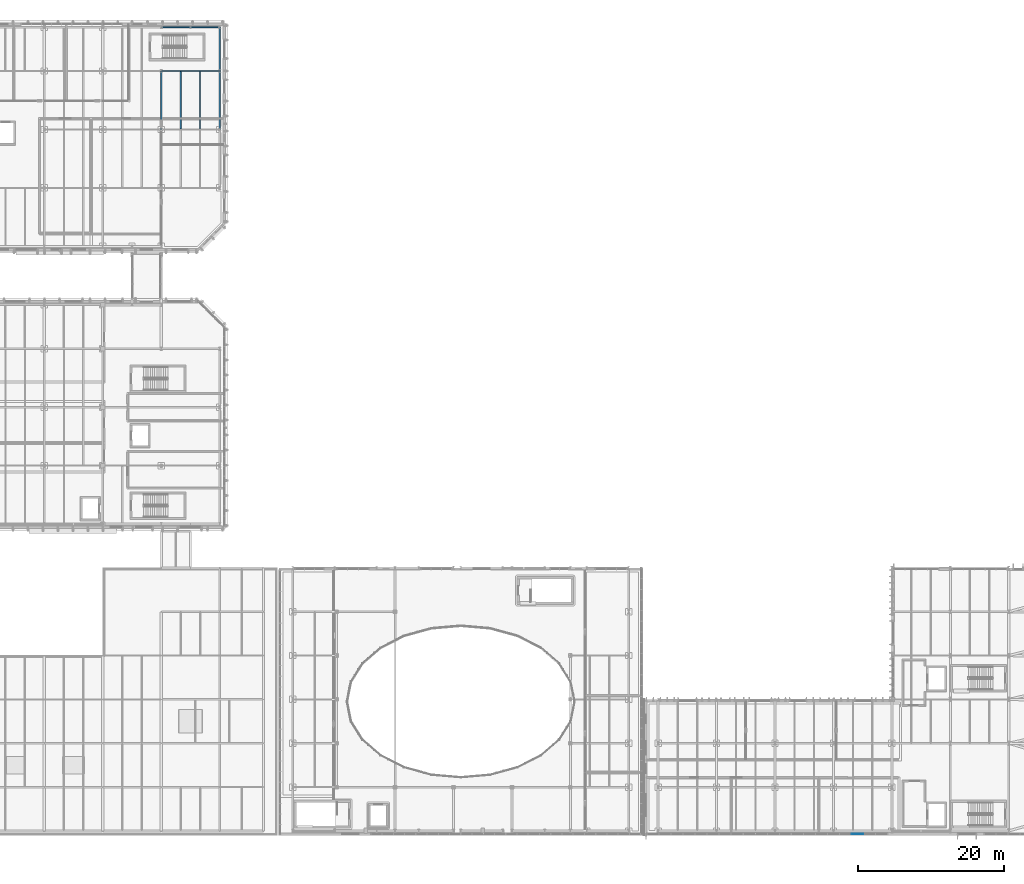
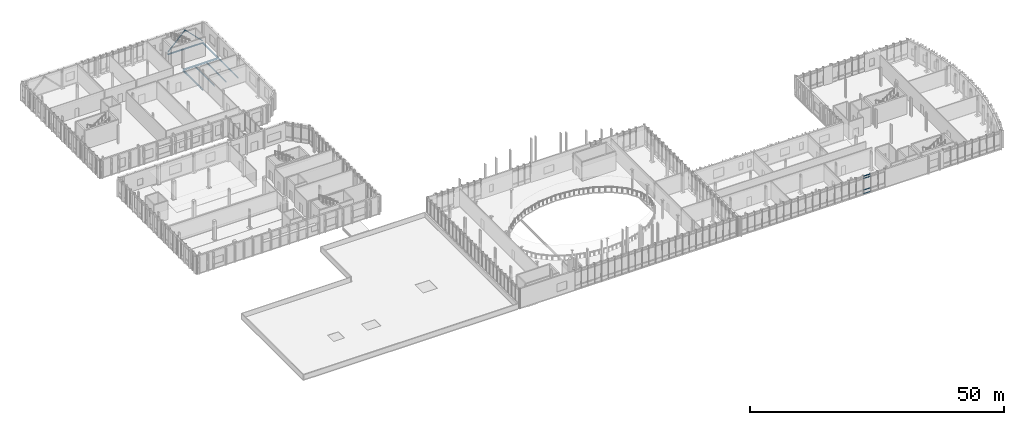
# One storey, part 37 of 86: 7 beams, 6 members, 1 element without a shape of its own.
"""IFC4 building model written with IfcOpenShell, lengths in metres."""

from ifc_helpers import new_model, si_unit, direction, frame, origin, origin_2d, place, context, subcontext, project, spatial, rectangle, hollow_rectangle, i_section, extrude, material, material_profile, profile_set, type_object, element, aggregate, save


model = new_model("IFC4")

# Units and contexts
model_context = context("Model", 3, precision=1e-05, world=origin(), true_north=direction((0.0, 1.0)))
body_context = subcontext(model_context, "Body", "Model", "MODEL_VIEW")
ifc_project = project(units=[si_unit("LENGTHUNIT", "METRE"), si_unit("AREAUNIT", "SQUARE_METRE"), si_unit("VOLUMEUNIT", "CUBIC_METRE"), si_unit("PLANEANGLEUNIT", "RADIAN"), si_unit("MASSUNIT", "GRAM", prefix="KILO")], contexts=[model_context])

# Site, building, storey
site_placement = place(None, origin())
site = spatial("IfcSite", under=ifc_project, at=site_placement, CompositionType="ELEMENT")
building_placement = place(site_placement, origin())
building = spatial("IfcBuilding", under=site, at=building_placement, Name="Cymarion Research Institute", CompositionType="ELEMENT")
storey_placement = place(building_placement, frame((0.0, 0.0, 13.800048828125)))
storey = spatial("IfcBuildingStorey", under=building, at=storey_placement, Name="L03", CompositionType="ELEMENT", Elevation=13.800048828125)

# Curtain wall, members
ifc_material_1 = material(Name="Anodised aluminium unitised curtain wall with Low-E glazing", Category="aluminium")
curtain_wall_type = type_object("IfcCurtainWallType", Name="UNITISED CURTAIN WALL CW26 6590X4240", PredefinedType="NOTDEFINED", material=ifc_material_1)
curtain_wall_placement = place(storey_placement, origin())
curtain_wall = element("IfcCurtainWall", 1, at=curtain_wall_placement, inside=storey, type_object=curtain_wall_type, Name="L03 V1 unitised curtain wall CW26 #123", PredefinedType="NOTDEFINED")
ifc_material_2 = material(Name="Anodised aluminium framing", Category="aluminium")
ifc_material_profile_1 = material_profile(ifc_material_2, rectangle(XDim=0.06005859375, YDim=0.14990234375, at=origin_2d()), Name="ALU TRANSOM 60x150")
ifc_profile_set_1 = profile_set([ifc_material_profile_1], Name="Anodised aluminium framing")
member_type_1 = type_object("IfcMemberType", Name="CURTAIN WALL TRANSOM TR01 60X150", PredefinedType="USERDEFINED", material=ifc_profile_set_1)
member_1_placement = place(storey_placement, frame((133.11279296875, 5.090087890625, 0.030029296875), z_axis=(1.0, 0.0, 0.0), x_axis=(0.0, 1.0, 0.0)))
member_1 = element("IfcMember", 2, at=member_1_placement, type_object=member_type_1, Name="CW26 transom 2.1", ObjectType="TRANSOM", PredefinedType="USERDEFINED", context=body_context, shape_type="SweptSolid", body=[
    extrude(rectangle(XDim=0.06005859375, YDim=0.14990234375, at=origin_2d()), origin(), (0.0, 0.0, 1.0), 1.588134765625),
])
member_2_placement = place(storey_placement, frame((133.11279296875, 5.090087890625, 0.89990234375), z_axis=(1.0, 0.0, 0.0), x_axis=(0.0, 1.0, 0.0)))
member_2 = element("IfcMember", 3, at=member_2_placement, type_object=member_type_1, Name="CW26 transom 2.2", ObjectType="TRANSOM", PredefinedType="USERDEFINED", context=body_context, shape_type="SweptSolid", body=[
    extrude(rectangle(XDim=0.06005859375, YDim=0.14990234375, at=origin_2d()), origin(), (0.0, 0.0, 1.0), 1.588134765625),
])
member_3_placement = place(storey_placement, frame((133.11279296875, 5.090087890625, 3.68994140625), z_axis=(1.0, 0.0, 0.0), x_axis=(0.0, 1.0, 0.0)))
member_3 = element("IfcMember", 4, at=member_3_placement, type_object=member_type_1, Name="CW26 transom 2.3", ObjectType="TRANSOM", PredefinedType="USERDEFINED", context=body_context, shape_type="SweptSolid", body=[
    extrude(rectangle(XDim=0.06005859375, YDim=0.14990234375, at=origin_2d()), origin(), (0.0, 0.0, 1.0), 1.588134765625),
])
member_4_placement = place(storey_placement, frame((133.11279296875, 5.090087890625, 4.2099609375), z_axis=(1.0, 0.0, 0.0), x_axis=(0.0, 1.0, 0.0)))
member_4 = element("IfcMember", 5, at=member_4_placement, type_object=member_type_1, Name="CW26 transom 2.4", ObjectType="TRANSOM", PredefinedType="USERDEFINED", context=body_context, shape_type="SweptSolid", body=[
    extrude(rectangle(XDim=0.06005859375, YDim=0.14990234375, at=origin_2d()), origin(), (0.0, 0.0, 1.0), 1.588134765625),
])
aggregate(curtain_wall, [member_1, member_2, member_3, member_4])

# Beams
ifc_material_3 = material(Name="Steel S355", Category="steel")
ifc_material_profile_2 = material_profile(ifc_material_3, i_section(OverallWidth=0.179931640625, OverallDepth=0.39990234375, WebThickness=0.008544921875, FlangeThickness=0.013427734375, FilletRadius=0.02099609375, at=origin_2d()), Name="IPE 400")
ifc_profile_set_2 = profile_set([ifc_material_profile_2], Name="Steel S355")
beam_type_1 = type_object("IfcBeamType", Name="PRIMARY GIRDER BM05 IPE 400", PredefinedType="BEAM", material=ifc_profile_set_2)
beam_1_placement = place(storey_placement, frame((38.60595703125, 109.5, -0.449951171875), z_axis=(1.0, 0.0, 0.0), x_axis=(0.0, 1.0, 0.0)))
element("IfcBeam", 6, at=beam_1_placement, inside=storey, type_object=beam_type_1, Name="L03 V5 girder BM05 #1540", PredefinedType="BEAM", context=body_context, shape_type="SweptSolid", body=[
    extrude(i_section(OverallWidth=0.179931640625, OverallDepth=0.39990234375, WebThickness=0.008544921875, FlangeThickness=0.013427734375, FilletRadius=0.02099609375, at=origin_2d()), origin(), (0.0, 0.0, 1.0), 7.988037109375),
])
beam_2_placement = place(storey_placement, frame((38.60009765625, 101.506103515625, -0.449951171875), z_axis=(0.0, 1.0, 0.0), x_axis=(-1.0, 0.0, 0.0)))
element("IfcBeam", 7, at=beam_2_placement, inside=storey, type_object=beam_type_1, Name="L03 V5 girder BM05 #1562", PredefinedType="BEAM", context=body_context, shape_type="SweptSolid", body=[
    extrude(i_section(OverallWidth=0.179931640625, OverallDepth=0.39990234375, WebThickness=0.008544921875, FlangeThickness=0.013427734375, FilletRadius=0.02099609375, at=origin_2d()), origin(), (0.0, 0.0, 1.0), 7.98779296875),
])
ifc_material_profile_3 = material_profile(ifc_material_3, i_section(OverallWidth=0.14990234375, OverallDepth=0.300048828125, WebThickness=0.007080078125, FlangeThickness=0.0107421875, FilletRadius=0.014892578125, at=origin_2d()), Name="IPE 300")
ifc_profile_set_3 = profile_set([ifc_material_profile_3], Name="Steel S355")
beam_type_2 = type_object("IfcBeamType", Name="SECONDARY JOIST JS02 IPE 300", PredefinedType="JOIST", material=ifc_profile_set_3)
for number, where, z_axis, x_axis, name in (
    (8, (41.2666015625, 101.593994140625, -0.400146484375), (0.0, 1.0, 0.0), (-1.0, 0.0, 0.0), "L03 V5 secondary joist JS02 #1582"),
    (9, (43.933349609375, 101.593994140625, -0.400146484375), (0.0, 1.0, 0.0), (-1.0, 0.0, 0.0), "L03 V5 secondary joist JS02 #1583"),
):
    element("IfcBeam", number, at=place(storey_placement, frame(where, z_axis=z_axis, x_axis=x_axis)), inside=storey, type_object=beam_type_2, Name=name, PredefinedType="JOIST", context=body_context, shape_type="SweptSolid", body=[
        extrude(i_section(OverallWidth=0.14990234375, OverallDepth=0.300048828125, WebThickness=0.007080078125, FlangeThickness=0.0107421875, FilletRadius=0.014892578125, at=origin_2d()), origin(), (0.0, 0.0, 1.0), 7.81201171875),
    ])
ifc_material_profile_4 = material_profile(ifc_material_3, i_section(OverallWidth=0.239990234375, OverallDepth=0.22998046875, WebThickness=0.007568359375, FlangeThickness=0.011962890625, FilletRadius=0.02099609375, at=origin_2d()), Name="HEA 240")
ifc_profile_set_4 = profile_set([ifc_material_profile_4], Name="Steel S355")
beam_type_3 = type_object("IfcBeamType", Name="SPANDREL BEAM SPB03 HEA 240", PredefinedType="SPANDREL", material=ifc_profile_set_4)
beam_3_placement = place(storey_placement, frame((38.60595703125, 115.5, -0.364990234375), z_axis=(1.0, 0.0, 0.0), x_axis=(0.0, 1.0, 0.0)))
element("IfcBeam", 10, at=beam_3_placement, inside=storey, type_object=beam_type_3, Name="L03 V5 girder SPB03 #1545", PredefinedType="SPANDREL", context=body_context, shape_type="SweptSolid", body=[
    extrude(i_section(OverallWidth=0.239990234375, OverallDepth=0.22998046875, WebThickness=0.007568359375, FlangeThickness=0.011962890625, FilletRadius=0.02099609375, at=origin_2d()), origin(), (0.0, 0.0, 1.0), 7.988037109375),
])
beam_4_placement = place(storey_placement, frame((46.60009765625, 109.506103515625, -0.364990234375), z_axis=(0.0, 1.0, 0.0), x_axis=(-1.0, 0.0, 0.0)))
element("IfcBeam", 11, at=beam_4_placement, inside=storey, type_object=beam_type_3, Name="L03 V5 girder SPB03 #1565", PredefinedType="SPANDREL", context=body_context, shape_type="SweptSolid", body=[
    extrude(i_section(OverallWidth=0.239990234375, OverallDepth=0.22998046875, WebThickness=0.007568359375, FlangeThickness=0.011962890625, FilletRadius=0.02099609375, at=origin_2d()), origin(), (0.0, 0.0, 1.0), 5.98779296875),
])
ifc_material_profile_5 = material_profile(ifc_material_3, i_section(OverallWidth=0.199951171875, OverallDepth=0.18994140625, WebThickness=0.006591796875, FlangeThickness=0.010009765625, FilletRadius=0.01806640625, at=origin_2d()), Name="HEA 200")
ifc_profile_set_5 = profile_set([ifc_material_profile_5], Name="Steel S355")
beam_type_4 = type_object("IfcBeamType", Name="SPANDREL BEAM SPB04 HEA 200", PredefinedType="SPANDREL", material=ifc_profile_set_5)
beam_5_placement = place(storey_placement, frame((46.60009765625, 101.506103515625, -0.344970703125), z_axis=(0.0, 1.0, 0.0), x_axis=(-1.0, 0.0, 0.0)))
element("IfcBeam", 12, at=beam_5_placement, inside=storey, type_object=beam_type_4, Name="L03 V5 girder SPB04 #1564", PredefinedType="SPANDREL", context=body_context, shape_type="SweptSolid", body=[
    extrude(i_section(OverallWidth=0.199951171875, OverallDepth=0.18994140625, WebThickness=0.006591796875, FlangeThickness=0.010009765625, FilletRadius=0.01806640625, at=origin_2d()), origin(), (0.0, 0.0, 1.0), 7.98779296875),
])

# Members
ifc_material_profile_6 = material_profile(ifc_material_3, hollow_rectangle(XDim=0.179931640625, YDim=0.179931640625, WallThickness=0.010009765625, InnerFilletRadius=0.014892578125, OuterFilletRadius=0.02490234375, at=origin_2d()), Name="SHS 180x180x10")
ifc_profile_set_6 = profile_set([ifc_material_profile_6], Name="Steel S355")
member_type_2 = type_object("IfcMemberType", Name="STRUCTURAL MEMBER BR08 SHS 180x180x10", PredefinedType="BRACE", material=ifc_profile_set_6)
member_5_placement = place(storey_placement, frame((38.6142578125, 115.5, 0.119873046875), z_axis=(0.70610954467, 0.0, 0.708102613275), x_axis=(0.0, 1.0, 0.0)))
element("IfcMember", 13, at=member_5_placement, inside=storey, type_object=member_type_2, Name="L03 V5 seismic chevron brace BR08 #1", PredefinedType="BRACE", context=body_context, shape_type="SweptSolid", body=[
    extrude(hollow_rectangle(XDim=0.179931640625, YDim=0.179931640625, WallThickness=0.010009765625, InnerFilletRadius=0.014892578125, OuterFilletRadius=0.02490234375, at=origin_2d()), origin(), (0.0, 0.0, 1.0), 5.634765625),
])
member_6_placement = place(storey_placement, frame((46.585693359375, 115.5, 0.119873046875), z_axis=(-0.706087818821, 0.0, 0.708124277307), x_axis=(0.0, -1.0, 0.0)))
element("IfcMember", 14, at=member_6_placement, inside=storey, type_object=member_type_2, Name="L03 V5 seismic chevron brace BR08 #2", PredefinedType="BRACE", context=body_context, shape_type="SweptSolid", body=[
    extrude(hollow_rectangle(XDim=0.179931640625, YDim=0.179931640625, WallThickness=0.010009765625, InnerFilletRadius=0.014892578125, OuterFilletRadius=0.02490234375, at=origin_2d()), origin(), (0.0, 0.0, 1.0), 5.634521484375),
])

save(model, "model.ifc")
